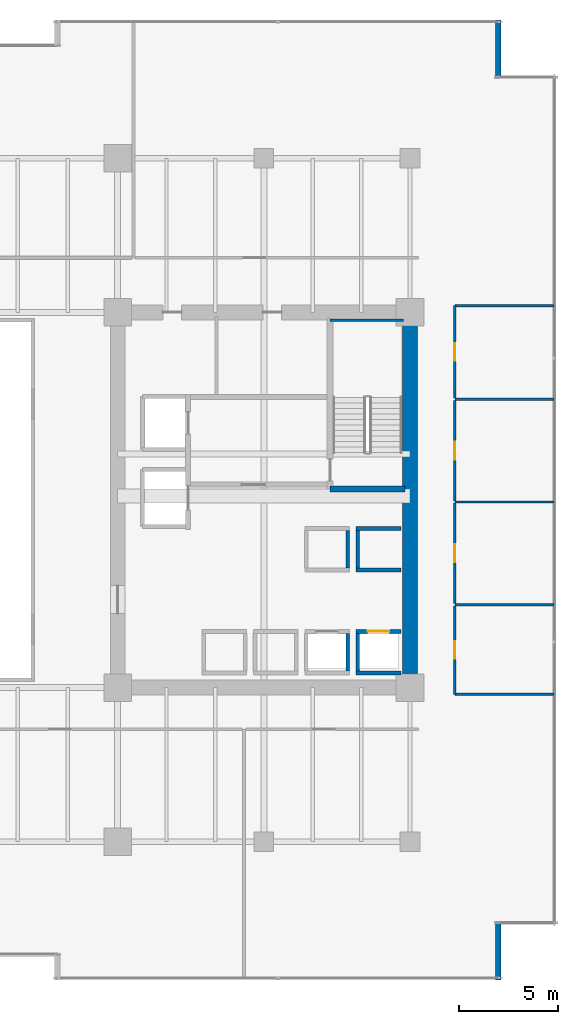
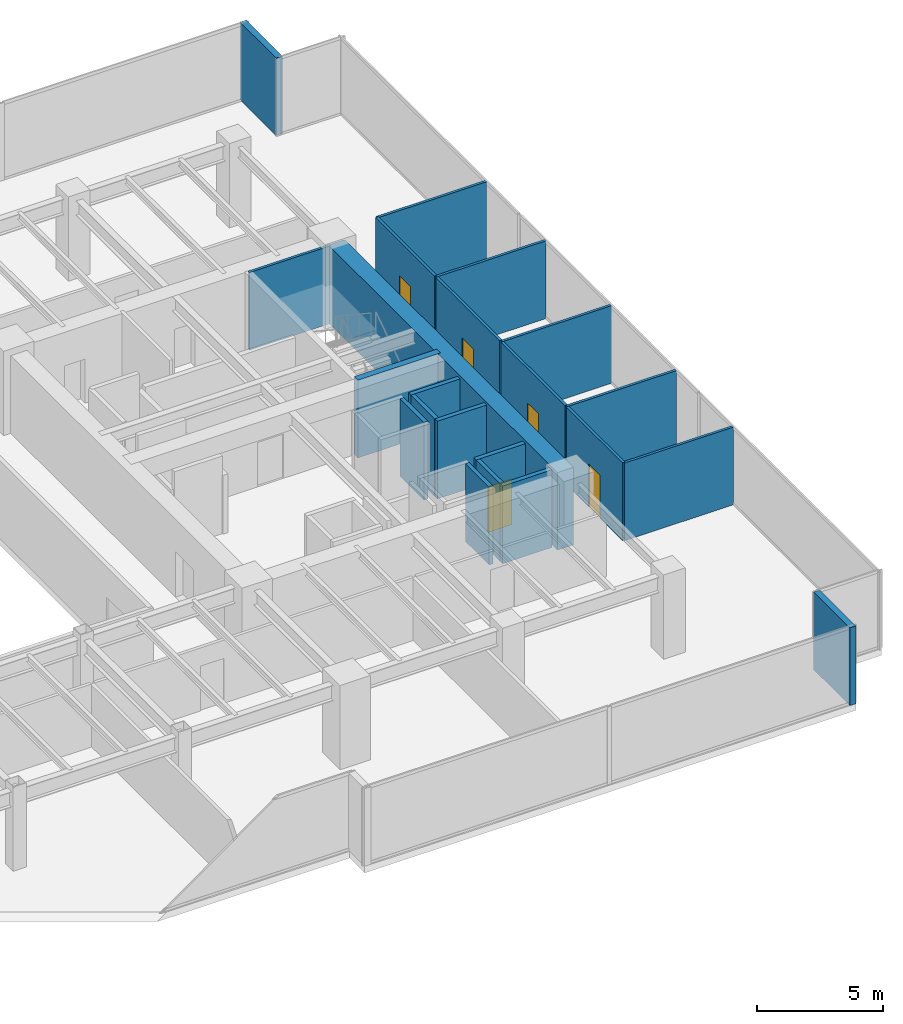
# One storey, part 32 of 35: 22 walls, 5 doors, 5 openings.
"""IFC4 building model written with IfcOpenShell, lengths in metres."""

from ifc_helpers import new_model, si_unit, direction, frame, frame_2d, origin, place, context, subcontext, project, spatial, rectangle, extrude, source, transform, mapped, material, layer, layer_set, type_object, type_shapes, element, fill, save


model = new_model("IFC4")

# Units and contexts
model_context = context("Model", 3, precision=1e-05, world=origin(), true_north=direction((0.0, 1.0)))
body_context = subcontext(model_context, "Body", "Model", "MODEL_VIEW")
ifc_project = project(units=[si_unit("LENGTHUNIT", "METRE"), si_unit("AREAUNIT", "SQUARE_METRE"), si_unit("VOLUMEUNIT", "CUBIC_METRE"), si_unit("PLANEANGLEUNIT", "RADIAN"), si_unit("MASSUNIT", "GRAM", prefix="KILO")], contexts=[model_context])

# Site, building, storey
site_placement = place(None, origin())
site = spatial("IfcSite", under=ifc_project, at=site_placement, CompositionType="ELEMENT")
building_placement = place(site_placement, origin())
building = spatial("IfcBuilding", under=site, at=building_placement, Name="Haelvirn Gate Laboratories", CompositionType="ELEMENT")
storey_placement = place(building_placement, frame((0.0, 0.0, 58.0)))
storey = spatial("IfcBuildingStorey", under=building, at=storey_placement, Name="L14", CompositionType="ELEMENT", Elevation=58.0)

# Walls
ifc_material_1 = material(Name="Thermally-broken bronze aluminium rainscreen & mineral wool", Category="aluminium")
ifc_layer_1 = layer(ifc_material_1, 0.280029296875, Name="EW-TERR-280")
ifc_layer_set_1 = layer_set([ifc_layer_1], Name="Thermally-broken bronze aluminium rainscreen & mineral wool")
wall_type_1 = type_object("IfcWallType", Name="EW-TERR-280", PredefinedType="STANDARD", material=ifc_layer_set_1)
wall_1_placement = place(storey_placement, frame((71.860107421875, 0.0, 0.0), z_axis=(0.0, 0.0, 1.0), x_axis=(0.0, 1.0, 0.0)))
element("IfcWall", 1, at=wall_1_placement, inside=storey, type_object=wall_type_1, Name="L14 Atrium Recess Bronze Return Wall 05", PredefinedType="STANDARD", context=body_context, shape_type="SweptSolid", body=[
    extrude(rectangle(XDim=2.887939453125, YDim=0.280029296875, at=frame_2d((1.44384765625, 0.0))), origin(), (0.0, 0.0, 1.0), 3.780029296875),
])
wall_2_placement = place(storey_placement, frame((71.860107421875, 45.7119140625, 0.0), z_axis=(0.0, 0.0, 1.0), x_axis=(0.0, 1.0, 0.0)))
element("IfcWall", 2, at=wall_2_placement, inside=storey, type_object=wall_type_1, Name="L14 Atrium Recess Bronze Return Wall 09", PredefinedType="STANDARD", context=body_context, shape_type="SweptSolid", body=[
    extrude(rectangle(XDim=2.88818359375, YDim=0.280029296875, at=frame_2d((1.444091796875, 0.0))), origin(), (0.0, 0.0, 1.0), 3.780029296875),
])
ifc_material_2 = material(Name="Lightweight acoustic gypsum board partition", Category="gypsum")
ifc_layer_2 = layer(ifc_material_2, 0.1201171875, Name="IW-PART-120")
ifc_layer_set_2 = layer_set([ifc_layer_2], Name="Lightweight acoustic gypsum board partition")
wall_type_2 = type_object("IfcWallType", Name="IW-PART-120", PredefinedType="PARTITIONING", material=ifc_layer_set_2)
for number, where, z_axis, x_axis, name in (
    (3, (69.669921875, 14.465087890625, 0.0), (0.0, 0.0, 1.0), (1.0, 0.0, 0.0), "L14 Interior Wall IW-L14-ECAP-S"),
    (4, (69.669921875, 34.135009765625, 0.0), (0.0, 0.0, 1.0), (1.0, 0.0, 0.0), "L14 Interior Wall IW-L14-ECAP-N"),
):
    element("IfcWall", number, at=place(storey_placement, frame(where, z_axis=z_axis, x_axis=x_axis)), inside=storey, type_object=wall_type_2, Name=name, PredefinedType="PARTITIONING", context=body_context, shape_type="SweptSolid", body=[
        extrude(rectangle(XDim=5.02001953125, YDim=0.1201171875, at=frame_2d((2.510009765625, 0.0))), origin(), (0.0, 0.0, 1.0), 3.780029296875),
    ])

# Wall, opening, door
wall_3_placement = place(storey_placement, frame((69.669921875, 14.465087890625, 0.0), z_axis=(0.0, 0.0, 1.0), x_axis=(0.0, 1.0, 0.0)))
wall_3 = element("IfcWall", 5, at=wall_3_placement, inside=storey, type_object=wall_type_2, Name="L14 Interior Wall IW-L14-EPASS-01", PredefinedType="PARTITIONING", context=body_context, shape_type="SweptSolid", body=[
    extrude(rectangle(XDim=4.474853515625, YDim=0.1201171875, at=frame_2d((2.2373046875, 0.0))), origin(), (0.0, 0.0, 1.0), 3.780029296875),
])
opening_1_placement = place(wall_3_placement, frame((1.78759765625, 0.0, 0.0)))
opening_1 = element("IfcOpeningElement", 6, at=opening_1_placement, cuts=wall_3, Name="Opening D4", PredefinedType="OPENING", context=body_context, shape_type="SweptSolid", body=[
    extrude(rectangle(XDim=0.89990234375, YDim=2.10009765625, at=frame_2d((0.449951171875, 1.050048828125))), frame((0.0, 0.070068359375, 0.0), z_axis=(0.0, -1.0, 0.0), x_axis=(1.0, 0.0, 0.0)), (0.0, 0.0, 1.0), 0.14013671875),
])
ifc_material_3 = material(Name="Glazed aluminium-framed write-up door", Category="aluminium")
door_type_1 = type_object("IfcDoorType", Name="DR-OFF-900", OperationType="NOTDEFINED", PredefinedType="DOOR", material=ifc_material_3)
shared_shape_1 = source(origin(), body_context, "Body", "SweptSolid", [
    extrude(rectangle(XDim=0.89990234375, YDim=2.10009765625, at=frame_2d((0.449951171875, 1.050048828125))), frame((0.0, 0.02490234375, 0.0), z_axis=(0.0, -1.0, 0.0), x_axis=(1.0, 0.0, 0.0)), (0.0, 0.0, 1.0), 0.050048828125),
])
type_shapes(door_type_1, [shared_shape_1])
door_1_placement = place(opening_1_placement, origin())
door_1 = element("IfcDoor", 7, at=door_1_placement, inside=storey, type_object=door_type_1, Name="L14 Chemical Synthesis Laboratory Door E1", OperationType="SINGLE_SWING_LEFT", OverallHeight=2.10009765625, OverallWidth=0.89990234375, PredefinedType="DOOR", context=body_context, shape_type="MappedRepresentation", body=[
    mapped(shared_shape_1, transform((0.0, 0.0, 0.0), scale=1.0)),
])
fill(opening_1, door_1)

# Wall
wall_4_placement = place(storey_placement, frame((69.669921875, 19.0, 0.0), z_axis=(0.0, 0.0, 1.0), x_axis=(1.0, 0.0, 0.0)))
element("IfcWall", 8, at=wall_4_placement, inside=storey, type_object=wall_type_2, Name="L14 Interior Wall IW-L14-EDIV-01", PredefinedType="PARTITIONING", context=body_context, shape_type="SweptSolid", body=[
    extrude(rectangle(XDim=5.02001953125, YDim=0.1201171875, at=frame_2d((2.510009765625, 0.0))), origin(), (0.0, 0.0, 1.0), 3.780029296875),
])

# Wall, opening, door
wall_5_placement = place(storey_placement, frame((69.669921875, 19.06005859375, 0.0), z_axis=(0.0, 0.0, 1.0), x_axis=(0.0, 1.0, 0.0)))
wall_5 = element("IfcWall", 9, at=wall_5_placement, inside=storey, type_object=wall_type_2, Name="L14 Interior Wall IW-L14-EPASS-02", PredefinedType="PARTITIONING", context=body_context, shape_type="SweptSolid", body=[
    extrude(rectangle(XDim=5.079833984375, YDim=0.1201171875, at=frame_2d((2.5400390625, 0.0))), origin(), (0.0, 0.0, 1.0), 3.780029296875),
])
opening_2_placement = place(wall_5_placement, frame((2.090087890625, 0.0, 0.0)))
opening_2 = element("IfcOpeningElement", 10, at=opening_2_placement, cuts=wall_5, Name="Opening D4", PredefinedType="OPENING", context=body_context, shape_type="SweptSolid", body=[
    extrude(rectangle(XDim=0.89990234375, YDim=2.10009765625, at=frame_2d((0.449951171875, 1.050048828125))), frame((0.0, 0.070068359375, 0.0), z_axis=(0.0, -1.0, 0.0), x_axis=(1.0, 0.0, 0.0)), (0.0, 0.0, 1.0), 0.14013671875),
])
door_2_placement = place(opening_2_placement, origin())
door_2 = element("IfcDoor", 11, at=door_2_placement, inside=storey, type_object=door_type_1, Name="L14 Bioprocess Foundry Laboratory Door E2", OperationType="SINGLE_SWING_RIGHT", OverallHeight=2.10009765625, OverallWidth=0.89990234375, PredefinedType="DOOR", context=body_context, shape_type="MappedRepresentation", body=[
    mapped(shared_shape_1, transform((0.0, 0.0, 0.0), scale=1.0)),
])
fill(opening_2, door_2)

# Wall
wall_6_placement = place(storey_placement, frame((69.669921875, 24.199951171875, 0.0), z_axis=(0.0, 0.0, 1.0), x_axis=(1.0, 0.0, 0.0)))
element("IfcWall", 12, at=wall_6_placement, inside=storey, type_object=wall_type_2, Name="L14 Interior Wall IW-L14-EDIV-02", PredefinedType="PARTITIONING", context=body_context, shape_type="SweptSolid", body=[
    extrude(rectangle(XDim=5.02001953125, YDim=0.1201171875, at=frame_2d((2.510009765625, 0.0))), origin(), (0.0, 0.0, 1.0), 3.780029296875),
])

# Wall, opening, door
wall_7_placement = place(storey_placement, frame((69.669921875, 24.260009765625, 0.0), z_axis=(0.0, 0.0, 1.0), x_axis=(0.0, 1.0, 0.0)))
wall_7 = element("IfcWall", 13, at=wall_7_placement, inside=storey, type_object=wall_type_2, Name="L14 Interior Wall IW-L14-EPASS-03", PredefinedType="PARTITIONING", context=body_context, shape_type="SweptSolid", body=[
    extrude(rectangle(XDim=5.080078125, YDim=0.1201171875, at=frame_2d((2.5400390625, 0.0))), origin(), (0.0, 0.0, 1.0), 3.780029296875),
])
opening_3_placement = place(wall_7_placement, frame((2.090087890625, 0.0, 0.0)))
opening_3 = element("IfcOpeningElement", 14, at=opening_3_placement, cuts=wall_7, Name="Opening D4", PredefinedType="OPENING", context=body_context, shape_type="SweptSolid", body=[
    extrude(rectangle(XDim=0.89990234375, YDim=2.10009765625, at=frame_2d((0.449951171875, 1.050048828125))), frame((0.0, 0.070068359375, 0.0), z_axis=(0.0, -1.0, 0.0), x_axis=(1.0, 0.0, 0.0)), (0.0, 0.0, 1.0), 0.14013671875),
])
door_3_placement = place(opening_3_placement, origin())
door_3 = element("IfcDoor", 15, at=door_3_placement, inside=storey, type_object=door_type_1, Name="L14 Genomics Assay Laboratory Door E3", OperationType="SINGLE_SWING_LEFT", OverallHeight=2.10009765625, OverallWidth=0.89990234375, PredefinedType="DOOR", context=body_context, shape_type="MappedRepresentation", body=[
    mapped(shared_shape_1, transform((0.0, 0.0, 0.0), scale=1.0)),
])
fill(opening_3, door_3)

# Wall
wall_8_placement = place(storey_placement, frame((69.669921875, 29.39990234375, 0.0), z_axis=(0.0, 0.0, 1.0), x_axis=(1.0, 0.0, 0.0)))
element("IfcWall", 16, at=wall_8_placement, inside=storey, type_object=wall_type_2, Name="L14 Interior Wall IW-L14-EDIV-03", PredefinedType="PARTITIONING", context=body_context, shape_type="SweptSolid", body=[
    extrude(rectangle(XDim=5.02001953125, YDim=0.1201171875, at=frame_2d((2.510009765625, 0.0))), origin(), (0.0, 0.0, 1.0), 3.780029296875),
])

# Wall, opening, door
wall_9_placement = place(storey_placement, frame((69.669921875, 29.4599609375, 0.0), z_axis=(0.0, 0.0, 1.0), x_axis=(0.0, 1.0, 0.0)))
wall_9 = element("IfcWall", 17, at=wall_9_placement, inside=storey, type_object=wall_type_2, Name="L14 Interior Wall IW-L14-EPASS-04", PredefinedType="PARTITIONING", context=body_context, shape_type="SweptSolid", body=[
    extrude(rectangle(XDim=4.675048828125, YDim=0.1201171875, at=frame_2d((2.33740234375, 0.0))), origin(), (0.0, 0.0, 1.0), 3.780029296875),
])
opening_4_placement = place(wall_9_placement, frame((1.887451171875, 0.0, 0.0)))
opening_4 = element("IfcOpeningElement", 18, at=opening_4_placement, cuts=wall_9, Name="Opening D4", PredefinedType="OPENING", context=body_context, shape_type="SweptSolid", body=[
    extrude(rectangle(XDim=0.89990234375, YDim=2.10009765625, at=frame_2d((0.449951171875, 1.050048828125))), frame((0.0, 0.070068359375, 0.0), z_axis=(0.0, -1.0, 0.0), x_axis=(1.0, 0.0, 0.0)), (0.0, 0.0, 1.0), 0.14013671875),
])
door_4_placement = place(opening_4_placement, origin())
door_4 = element("IfcDoor", 19, at=door_4_placement, inside=storey, type_object=door_type_1, Name="L14 Proteomics Mass-Spec Laboratory Door E4", OperationType="SINGLE_SWING_RIGHT", OverallHeight=2.10009765625, OverallWidth=0.89990234375, PredefinedType="DOOR", context=body_context, shape_type="MappedRepresentation", body=[
    mapped(shared_shape_1, transform((0.0, 0.0, 0.0), scale=1.0)),
])
fill(opening_4, door_4)

# Walls
ifc_material_4 = material(Name="Concrete C40/50", Category="concrete")
ifc_layer_3 = layer(ifc_material_4, 0.179931640625, Name="IW-SHAFT-180")
ifc_layer_set_3 = layer_set([ifc_layer_3], Name="Concrete C40/50")
wall_type_3 = type_object("IfcWallType", Name="IW-SHAFT-180", PredefinedType="SOLIDWALL", material=ifc_layer_set_3)
for number, where, z_axis, x_axis, name in (
    (20, (64.75, 15.64990234375, 0.0), (0.0, 0.0, 1.0), (0.0, 1.0, 0.0), "L14 Interior Wall IW-L14-PL3-SD"),
    (21, (64.25, 15.64990234375, 0.0), (0.0, 0.0, 1.0), (0.0, 1.0, 0.0), "L14 Interior Wall IW-L14-PL4-SDE"),
):
    element("IfcWall", number, at=place(storey_placement, frame(where, z_axis=z_axis, x_axis=x_axis)), inside=storey, type_object=wall_type_3, Name=name, PredefinedType="SOLIDWALL", context=body_context, shape_type="SweptSolid", body=[
        extrude(rectangle(XDim=1.900146484375, YDim=0.179931640625, at=frame_2d((0.9501953125, 0.0))), origin(), (0.0, 0.0, 1.0), 3.780029296875),
    ])
for number, where, z_axis, x_axis, name in (
    (22, (64.75, 20.85009765625, 0.0), (0.0, 0.0, 1.0), (0.0, 1.0, 0.0), "L14 Interior Wall IW-L14-PL11-SD"),
    (23, (64.25, 20.85009765625, 0.0), (0.0, 0.0, 1.0), (0.0, 1.0, 0.0), "L14 Interior Wall IW-L14-PL12-SDE"),
):
    element("IfcWall", number, at=place(storey_placement, frame(where, z_axis=z_axis, x_axis=x_axis)), inside=storey, type_object=wall_type_3, Name=name, PredefinedType="SOLIDWALL", context=body_context, shape_type="SweptSolid", body=[
        extrude(rectangle(XDim=1.89990234375, YDim=0.179931640625, at=frame_2d((0.949951171875, 0.0))), origin(), (0.0, 0.0, 1.0), 3.780029296875),
    ])

# Wall, opening, door
ifc_layer_4 = layer(ifc_material_4, 0.199951171875, Name="IW-SHAFT-200")
ifc_layer_set_4 = layer_set([ifc_layer_4], Name="Concrete C40/50")
wall_type_4 = type_object("IfcWallType", Name="IW-SHAFT-200", PredefinedType="SOLIDWALL", material=ifc_layer_set_4)
wall_10_placement = place(storey_placement, frame((64.669921875, 17.64990234375, 0.0), z_axis=(0.0, 0.0, 1.0), x_axis=(1.0, 0.0, 0.0)))
wall_10 = element("IfcWall", 24, at=wall_10_placement, inside=storey, type_object=wall_type_4, Name="L14 Interior Wall IW-L14-PL3-FR", PredefinedType="SOLIDWALL", context=body_context, shape_type="SweptSolid", body=[
    extrude(rectangle(XDim=2.260009765625, YDim=0.199951171875, at=frame_2d((1.1298828125, 0.0))), origin(), (0.0, 0.0, 1.0), 3.780029296875),
])
opening_5_placement = place(wall_10_placement, frame((0.580078125, 0.0, 0.0)))
opening_5 = element("IfcOpeningElement", 25, at=opening_5_placement, cuts=wall_10, Name="Opening LD2", PredefinedType="OPENING", context=body_context, shape_type="SweptSolid", body=[
    extrude(rectangle(XDim=1.10009765625, YDim=2.219970703125, at=frame_2d((0.550048828125, 1.10986328125))), frame((0.0, 0.10986328125, 0.0), z_axis=(0.0, -1.0, 0.0), x_axis=(1.0, 0.0, 0.0)), (0.0, 0.0, 1.0), 0.219970703125),
])
ifc_material_5 = material(Name="Bronze stainless 316L sliding lift landing door")
door_type_2 = type_object("IfcDoorType", Name="DR-LD-1100", OperationType="NOTDEFINED", PredefinedType="USERDEFINED", material=ifc_material_5)
shared_shape_2 = source(origin(), body_context, "Body", "SweptSolid", [
    extrude(rectangle(XDim=1.10009765625, YDim=2.219970703125, at=frame_2d((0.550048828125, 1.10986328125))), frame((0.0, 0.02490234375, 0.0), z_axis=(0.0, -1.0, 0.0), x_axis=(1.0, 0.0, 0.0)), (0.0, 0.0, 1.0), 0.050048828125),
])
type_shapes(door_type_2, [shared_shape_2])
door_5_placement = place(opening_5_placement, origin())
door_5 = element("IfcDoor", 26, at=door_5_placement, inside=storey, type_object=door_type_2, Name="L14 Passenger Lift PL3 Landing Door", ObjectType="LANDING_DOOR", OperationType="SLIDING_TO_LEFT", OverallHeight=2.219970703125, OverallWidth=1.10009765625, PredefinedType="USERDEFINED", context=body_context, shape_type="MappedRepresentation", body=[
    mapped(shared_shape_2, transform((0.0, 0.0, 0.0), scale=1.0)),
])
fill(opening_5, door_5)

# Walls
for number, where, z_axis, x_axis, name in (
    (27, (64.669921875, 15.550048828125, 0.0), (0.0, 0.0, 1.0), (1.0, 0.0, 0.0), "L14 Interior Wall IW-L14-PL3-BK"),
    (28, (64.669921875, 20.75, 0.0), (0.0, 0.0, 1.0), (1.0, 0.0, 0.0), "L14 Interior Wall IW-L14-PL11-FR"),
    (29, (64.669921875, 22.85009765625, 0.0), (0.0, 0.0, 1.0), (1.0, 0.0, 0.0), "L14 Interior Wall IW-L14-PL11-BK"),
):
    element("IfcWall", number, at=place(storey_placement, frame(where, z_axis=z_axis, x_axis=x_axis)), inside=storey, type_object=wall_type_4, Name=name, PredefinedType="SOLIDWALL", context=body_context, shape_type="SweptSolid", body=[
        extrude(rectangle(XDim=2.260009765625, YDim=0.199951171875, at=frame_2d((1.1298828125, 0.0))), origin(), (0.0, 0.0, 1.0), 3.780029296875),
    ])
ifc_material_6 = material(Name="Concrete C70/85", Category="concrete")
ifc_layer_5 = layer(ifc_material_6, 0.75, Name="SW-CORE-750")
ifc_layer_set_5 = layer_set([ifc_layer_5], Name="Concrete C70/85")
wall_type_5 = type_object("IfcWallType", Name="SW-CORE-750", PredefinedType="SHEAR", material=ifc_layer_set_5)
wall_11_placement = place(storey_placement, frame((67.39990234375, 15.175048828125, 0.0), z_axis=(0.0, 0.0, 1.0), x_axis=(0.0, 1.0, 0.0)))
element("IfcWall", 30, at=wall_11_placement, inside=storey, type_object=wall_type_5, Name="L14 E Core Shear Wall E", PredefinedType="SHEAR", context=body_context, shape_type="SweptSolid", body=[
    extrude(rectangle(XDim=18.25, YDim=0.75, at=frame_2d((9.125, 0.0))), origin(), (0.0, 0.0, 1.0), 3.780029296875),
])
ifc_material_7 = material(Name="Concrete C50/60", Category="concrete")
ifc_layer_6 = layer(ifc_material_7, 0.1201171875, Name="SW-LINER-120")
ifc_layer_set_6 = layer_set([ifc_layer_6], Name="Concrete C50/60")
wall_type_6 = type_object("IfcWallType", Name="SW-LINER-120", PredefinedType="SOLIDWALL", material=ifc_layer_set_6)
wall_12_placement = place(storey_placement, frame((63.35009765625, 33.39990234375, 0.0), z_axis=(0.0, 0.0, 1.0), x_axis=(1.0, 0.0, 0.0)))
element("IfcWall", 31, at=wall_12_placement, inside=storey, type_object=wall_type_6, Name="L14 E Core Stair Shaft Liner Wall N", PredefinedType="SOLIDWALL", context=body_context, shape_type="SweptSolid", body=[
    extrude(rectangle(XDim=3.719970703125, YDim=0.1201171875, at=frame_2d((1.85986328125, 0.0))), origin(), (0.0, 0.0, 1.0), 3.780029296875),
])
ifc_layer_7 = layer(ifc_material_7, 0.300048828125, Name="SW-STAIR-300")
ifc_layer_set_7 = layer_set([ifc_layer_7], Name="Concrete C50/60")
wall_type_7 = type_object("IfcWallType", Name="SW-STAIR-300", PredefinedType="SHEAR", material=ifc_layer_set_7)
wall_13_placement = place(storey_placement, frame((63.35009765625, 24.85009765625, 0.0), z_axis=(0.0, 0.0, 1.0), x_axis=(1.0, 0.0, 0.0)))
element("IfcWall", 32, at=wall_13_placement, inside=storey, type_object=wall_type_7, Name="L14 E Core Stair Shaft Structural Wall S", PredefinedType="SHEAR", context=body_context, shape_type="SweptSolid", body=[
    extrude(rectangle(XDim=3.7998046875, YDim=0.300048828125, at=frame_2d((1.89990234375, 0.0))), origin(), (0.0, 0.0, 1.0), 3.780029296875),
])

save(model, "model.ifc")
